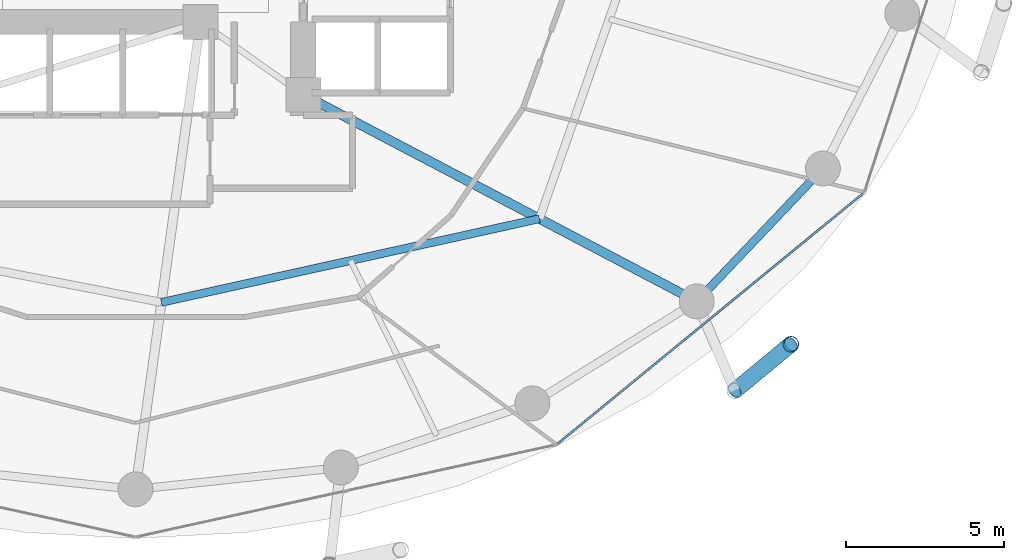
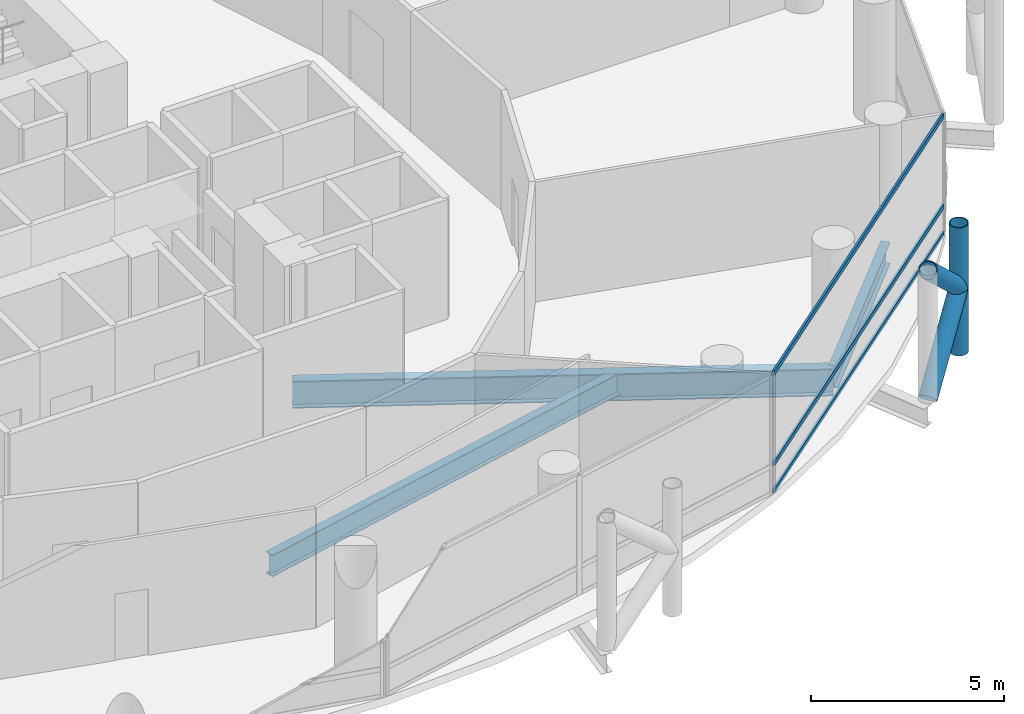
# One storey, part 9 of 24: 6 members, 3 beams, 1 element without a shape of its own.
"""IFC4 building model written with IfcOpenShell, lengths in metres."""

from ifc_helpers import new_model, si_unit, direction, frame, origin, origin_2d, place, context, subcontext, project, spatial, hollow_rectangle, hollow_circle, i_section, extrude, material, layer, layer_set, material_profile, profile_set, type_object, element, aggregate, save


model = new_model("IFC4")

# Units and contexts
model_context = context("Model", 3, precision=1e-05, world=origin(), true_north=direction((0.0, 1.0)))
body_context = subcontext(model_context, "Body", "Model", "MODEL_VIEW")
ifc_project = project(units=[si_unit("LENGTHUNIT", "METRE"), si_unit("AREAUNIT", "SQUARE_METRE"), si_unit("VOLUMEUNIT", "CUBIC_METRE"), si_unit("PLANEANGLEUNIT", "RADIAN"), si_unit("MASSUNIT", "GRAM", prefix="KILO")], contexts=[model_context])

# Site, building, storey
site_placement = place(None, origin())
site = spatial("IfcSite", under=ifc_project, at=site_placement, CompositionType="ELEMENT")
building_placement = place(site_placement, origin())
building = spatial("IfcBuilding", under=site, at=building_placement, Name="Nuhasar Tower", CompositionType="ELEMENT")
storey_placement = place(building_placement, frame((0.0, 0.0, 33.14990234375)))
storey = spatial("IfcBuildingStorey", under=building, at=storey_placement, Name="L07", CompositionType="ELEMENT", Elevation=33.14990234375)

# Beams
ifc_material_1 = material(Name="Steel S355", Category="steel")
ifc_material_profile_1 = material_profile(ifc_material_1, i_section(OverallWidth=0.25390625, OverallDepth=0.68408203125, WebThickness=0.012451171875, FlangeThickness=0.018798828125, at=origin_2d()), Name="W27X94")
ifc_profile_set_1 = profile_set([ifc_material_profile_1], Name="Steel S355")
beam_type_1 = type_object("IfcBeamType", Name="BM-INRING-W27X94", PredefinedType="BEAM", material=ifc_profile_set_1)
beam_1_placement = place(storey_placement, frame((39.820068359375, 12.449951171875, -0.601806640625), z_axis=(0.976386023343, 0.216033176665, 0.0), x_axis=(-0.216033176665, 0.976386023343, 0.0)))
element("IfcBeam", 1, at=beam_1_placement, inside=storey, type_object=beam_type_1, Name="L07 Inner Header Beam 02", PredefinedType="BEAM", context=body_context, shape_type="SweptSolid", body=[
    extrude(i_section(OverallWidth=0.25390625, OverallDepth=0.68408203125, WebThickness=0.012451171875, FlangeThickness=0.018798828125, at=origin_2d()), origin(), (0.0, 0.0, 1.0), 12.216552734375),
])
ifc_material_profile_2 = material_profile(ifc_material_1, i_section(OverallWidth=0.2919921875, OverallDepth=0.85888671875, WebThickness=0.01708984375, FlangeThickness=0.031005859375, at=origin_2d()), Name="W33X169")
ifc_profile_set_2 = profile_set([ifc_material_profile_2], Name="Steel S355")
beam_type_2 = type_object("IfcBeamType", Name="BM-POD-W33X169", PredefinedType="BEAM", material=ifc_profile_set_2)
beam_2_placement = place(storey_placement, frame((44.300048828125, 19.0, -0.68896484375), z_axis=(0.885330348705, -0.464962550816, 0.0), x_axis=(0.464962550816, 0.885330348705, 0.0)))
element("IfcBeam", 2, at=beam_2_placement, inside=storey, type_object=beam_type_2, Name="L07 Radial Floor Girder 03", PredefinedType="BEAM", context=body_context, shape_type="SweptSolid", body=[
    extrude(i_section(OverallWidth=0.2919921875, OverallDepth=0.85888671875, WebThickness=0.01708984375, FlangeThickness=0.031005859375, at=origin_2d()), origin(), (0.0, 0.0, 1.0), 14.0205078125),
])
ifc_material_profile_3 = material_profile(ifc_material_1, i_section(OverallWidth=0.256103515625, OverallDepth=0.693115234375, WebThickness=0.014404296875, FlangeThickness=0.023681640625, at=origin_2d()), Name="W27X114")
ifc_profile_set_3 = profile_set([ifc_material_profile_3], Name="Steel S355")
beam_type_3 = type_object("IfcBeamType", Name="BM-RING-W27X114", PredefinedType="SPANDREL", material=ifc_profile_set_3)
beam_3_placement = place(storey_placement, frame((56.712890625, 12.48095703125, -0.60595703125), z_axis=(0.688459812429, 0.725274490569, 0.0), x_axis=(-0.725274490569, 0.688459812429, 0.0)))
element("IfcBeam", 3, at=beam_3_placement, inside=storey, type_object=beam_type_3, Name="L07 Perimeter Ring Spandrel 22", PredefinedType="SPANDREL", context=body_context, shape_type="SweptSolid", body=[
    extrude(i_section(OverallWidth=0.256103515625, OverallDepth=0.693115234375, WebThickness=0.014404296875, FlangeThickness=0.023681640625, at=origin_2d()), origin(), (0.0, 0.0, 1.0), 5.78271484375),
])

# Curtain wall, members
ifc_material_2 = material(Name="Aluminium 6063-T6", Category="aluminium")
ifc_layer = layer(ifc_material_2, 0.199951171875)
ifc_layer_set = layer_set([ifc_layer], Name="Aluminium 6063-T6")
curtain_wall_type = type_object("IfcCurtainWallType", Name="CW-Z1-OFF", PredefinedType="NOTDEFINED", material=ifc_layer_set)
curtain_wall_placement = place(storey_placement, origin())
curtain_wall = element("IfcCurtainWall", 4, at=curtain_wall_placement, inside=storey, type_object=curtain_wall_type, Name="L07 Unitised Curtain Wall 11", PredefinedType="NOTDEFINED")
ifc_material_profile_4 = material_profile(ifc_material_2, hollow_rectangle(XDim=0.06494140625, YDim=0.14990234375, WallThickness=0.00439453125, at=origin_2d()), Name="CWT-2")
ifc_profile_set_4 = profile_set([ifc_material_profile_4], Name="Aluminium 6063-T6")
member_type_1 = type_object("IfcMemberType", Name="CW-TRN-S2", PredefinedType="USERDEFINED", material=ifc_profile_set_4)
member_1_placement = place(storey_placement, frame((52.330322265625, 7.99609375, 0.03271484375), z_axis=(0.773531229158, 0.633758185365, 0.0), x_axis=(-0.633758185365, 0.773531229158, 0.0)))
member_1 = element("IfcMember", 5, at=member_1_placement, type_object=member_type_1, Name="CW-Z1 transom 1.1", ObjectType="TRANSOM", PredefinedType="USERDEFINED", context=body_context, shape_type="SweptSolid", body=[
    extrude(hollow_rectangle(XDim=0.06494140625, YDim=0.14990234375, WallThickness=0.00439453125, at=origin_2d()), origin(), (0.0, 0.0, 1.0), 12.438232421875),
])
member_2_placement = place(storey_placement, frame((52.330322265625, 7.99609375, 0.900146484375), z_axis=(0.773531229158, 0.633758185365, 0.0), x_axis=(-0.633758185365, 0.773531229158, 0.0)))
member_2 = element("IfcMember", 6, at=member_2_placement, type_object=member_type_1, Name="CW-Z1 transom 1.2", ObjectType="TRANSOM", PredefinedType="USERDEFINED", context=body_context, shape_type="SweptSolid", body=[
    extrude(hollow_rectangle(XDim=0.06494140625, YDim=0.14990234375, WallThickness=0.00439453125, at=origin_2d()), origin(), (0.0, 0.0, 1.0), 12.438232421875),
])
member_3_placement = place(storey_placement, frame((52.330322265625, 7.99609375, 3.757568359375), z_axis=(0.773531229158, 0.633758185365, 0.0), x_axis=(-0.633758185365, 0.773531229158, 0.0)))
member_3 = element("IfcMember", 7, at=member_3_placement, type_object=member_type_1, Name="CW-Z1 transom 1.3", ObjectType="TRANSOM", PredefinedType="USERDEFINED", context=body_context, shape_type="SweptSolid", body=[
    extrude(hollow_rectangle(XDim=0.06494140625, YDim=0.14990234375, WallThickness=0.00439453125, at=origin_2d()), origin(), (0.0, 0.0, 1.0), 12.438232421875),
])
aggregate(curtain_wall, [member_1, member_2, member_3])

# Members
ifc_material_3 = material(Name="Steel S460", Category="steel")
ifc_material_profile_5 = material_profile(ifc_material_3, hollow_circle(Radius=0.25390625, WallThickness=0.025390625, at=origin_2d()), Name="HSS508X25.4")
ifc_profile_set_5 = profile_set([ifc_material_profile_5], Name="Steel S460")
member_type_2 = type_object("IfcMemberType", Name="EXO-BRONZE-508", PredefinedType="BRACE", material=ifc_profile_set_5)
member_4_placement = place(storey_placement, frame((59.68505859375, 11.12890625, 0.0), z_axis=(0.0, 0.0, 1.0), x_axis=(1.0, 0.0, 0.0)))
element("IfcMember", 8, at=member_4_placement, inside=storey, type_object=member_type_2, Name="L07 Exoskeleton Chord Column EC-11B", PredefinedType="BRACE", context=body_context, shape_type="SweptSolid", body=[
    extrude(hollow_circle(Radius=0.25390625, WallThickness=0.025390625, at=origin_2d()), origin(), (0.0, 0.0, 1.0), 4.050048828125),
])
member_5_placement = place(storey_placement, frame((57.9130859375, 9.660888671875, 0.0), z_axis=(0.578071194894, 0.478911834514, 0.660664172175), x_axis=(-0.637969333506, 0.770061769929, 0.0)))
element("IfcMember", 9, at=member_5_placement, inside=storey, type_object=member_type_2, Name="L07 Bronze Diagrid Brace W1-11", PredefinedType="BRACE", context=body_context, shape_type="SweptSolid", body=[
    extrude(hollow_circle(Radius=0.25390625, WallThickness=0.025390625, at=origin_2d()), origin(), (0.0, 0.0, 1.0), 3.0654296875),
])
member_6_placement = place(storey_placement, frame((59.68505859375, 11.12890625, 2.025146484375), z_axis=(-0.578101613167, -0.478937034992, 0.660619286251), x_axis=(0.637969333506, -0.770061769929, 0.0)))
element("IfcMember", 10, at=member_6_placement, inside=storey, type_object=member_type_2, Name="L07 Bronze Diagrid Brace W2-11", PredefinedType="BRACE", context=body_context, shape_type="SweptSolid", body=[
    extrude(hollow_circle(Radius=0.25390625, WallThickness=0.025390625, at=origin_2d()), origin(), (0.0, 0.0, 1.0), 3.065185546875),
])

save(model, "model.ifc")
